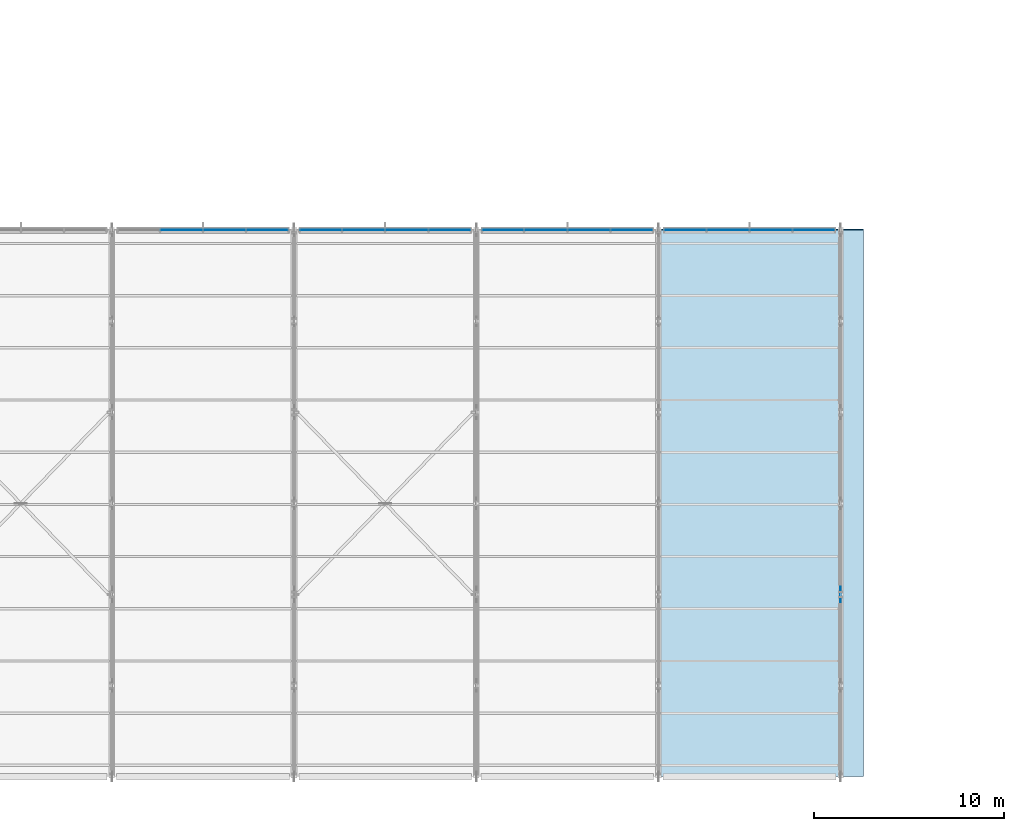
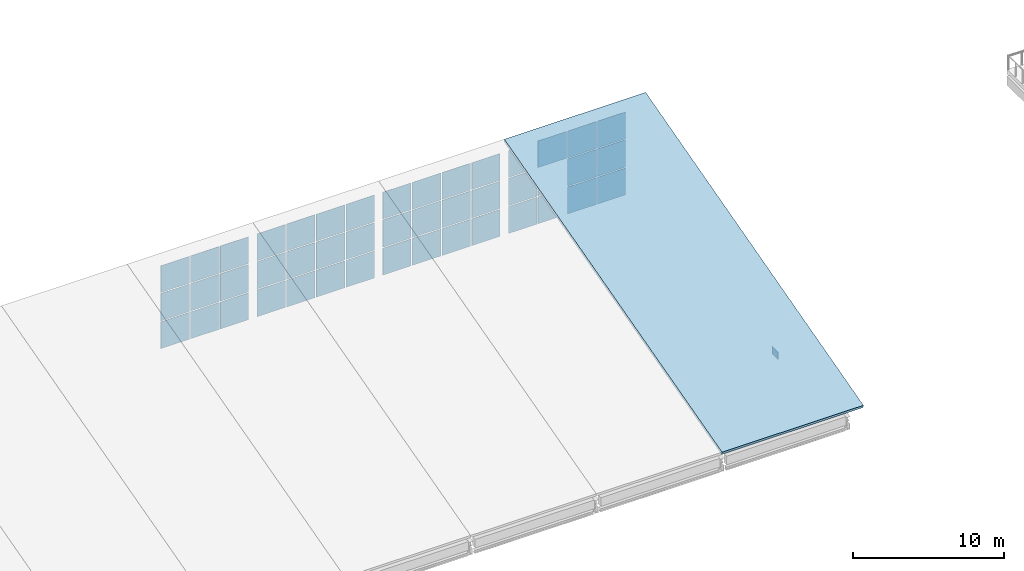
# One storey, part 28 of 57: 46 plates, 1 slab, 4 elements without a shape of their own.
"""IFC4 building model written with IfcOpenShell, lengths in metres."""

from ifc_helpers import new_model, si_unit, direction, frame, origin, origin_2d, place, context, subcontext, project, spatial, polyline, rectangle, outline, extrude, material, layer, layer_set, type_object, element, aggregate, save


model = new_model("IFC4")

# Units and contexts
model_context = context("Model", 3, precision=1e-05, world=origin(), true_north=direction((0.0, 1.0)))
body_context = subcontext(model_context, "Body", "Model", "MODEL_VIEW")
ifc_project = project(units=[si_unit("LENGTHUNIT", "METRE"), si_unit("AREAUNIT", "SQUARE_METRE"), si_unit("VOLUMEUNIT", "CUBIC_METRE"), si_unit("PLANEANGLEUNIT", "RADIAN"), si_unit("MASSUNIT", "GRAM", prefix="KILO")], contexts=[model_context])

# Site, building, storey
site_placement = place(None, origin())
site = spatial("IfcSite", under=ifc_project, at=site_placement, CompositionType="ELEMENT")
building_placement = place(site_placement, origin())
building = spatial("IfcBuilding", under=site, at=building_placement, Name="Shalvenor Court Art Gallery", CompositionType="ELEMENT")
storey_placement = place(building_placement, frame((0.0, 0.0, 16.800048828125)))
storey = spatial("IfcBuildingStorey", under=building, at=storey_placement, Name="L03", CompositionType="ELEMENT", Elevation=16.800048828125)

# Curtain wall, plates
ifc_material_1 = material(Name="Anodised aluminium and low-iron glass curtain wall", Category="aluminium")
curtain_wall_type = type_object("IfcCurtainWallType", Name="CW-NL-V4", PredefinedType="USERDEFINED", material=ifc_material_1)
curtain_wall_1_placement = place(storey_placement, origin())
curtain_wall_1 = element("IfcCurtainWall", 1, at=curtain_wall_1_placement, inside=storey, type_object=curtain_wall_type, Name="L03 V4 North Light Clerestory 4", ObjectType="CURTAIN WALL", PredefinedType="USERDEFINED")
ifc_material_2 = material(Name="Diffused north-light acid-etched museum glazing IGU", Category="glass")
ifc_layer_1 = layer(ifc_material_2, 0.02392578125, Name="Diffused north-light acid-etched museum glazing IGU")
ifc_layer_set_1 = layer_set([ifc_layer_1], Name="Diffused north-light acid-etched museum glazing IGU")
plate_type_1 = type_object("IfcPlateType", Name="CWP-04", PredefinedType="CURTAIN_PANEL", material=ifc_layer_set_1)
plate_1_placement = place(storey_placement, frame((32.46240234375, 28.800048828125, 0.074951171875), z_axis=(0.0, 0.0, 1.0), x_axis=(1.0, 0.0, 0.0)))
plate_1 = element("IfcPlate", 2, at=plate_1_placement, type_object=plate_type_1, Name="CW-NL-V4 panel 2.1", PredefinedType="CURTAIN_PANEL", context=body_context, shape_type="SweptSolid", body=[
    extrude(rectangle(XDim=2.195068359375, YDim=0.02392578125, at=origin_2d()), origin(), (0.0, 0.0, 1.0), 2.1708984375),
])
plate_2_placement = place(storey_placement, frame((32.46240234375, 28.800048828125, 2.32080078125), z_axis=(0.0, 0.0, 1.0), x_axis=(1.0, 0.0, 0.0)))
plate_2 = element("IfcPlate", 3, at=plate_2_placement, type_object=plate_type_1, Name="CW-NL-V4 panel 2.2", PredefinedType="CURTAIN_PANEL", context=body_context, shape_type="SweptSolid", body=[
    extrude(rectangle(XDim=2.195068359375, YDim=0.02392578125, at=origin_2d()), origin(), (0.0, 0.0, 1.0), 2.208251953125),
])
plate_3_placement = place(storey_placement, frame((32.46240234375, 28.800048828125, 4.60400390625), z_axis=(0.0, 0.0, 1.0), x_axis=(1.0, 0.0, 0.0)))
plate_3 = element("IfcPlate", 4, at=plate_3_placement, type_object=plate_type_1, Name="CW-NL-V4 panel 2.3", PredefinedType="CURTAIN_PANEL", context=body_context, shape_type="SweptSolid", body=[
    extrude(rectangle(XDim=2.195068359375, YDim=0.02392578125, at=origin_2d()), origin(), (0.0, 0.0, 1.0), 2.1708984375),
])
plate_4_placement = place(storey_placement, frame((34.737548828125, 28.800048828125, 0.074951171875), z_axis=(0.0, 0.0, 1.0), x_axis=(1.0, 0.0, 0.0)))
plate_4 = element("IfcPlate", 5, at=plate_4_placement, type_object=plate_type_1, Name="CW-NL-V4 panel 3.1", PredefinedType="CURTAIN_PANEL", context=body_context, shape_type="SweptSolid", body=[
    extrude(rectangle(XDim=2.195068359375, YDim=0.02392578125, at=origin_2d()), origin(), (0.0, 0.0, 1.0), 2.1708984375),
])
plate_5_placement = place(storey_placement, frame((34.737548828125, 28.800048828125, 2.32080078125), z_axis=(0.0, 0.0, 1.0), x_axis=(1.0, 0.0, 0.0)))
plate_5 = element("IfcPlate", 6, at=plate_5_placement, type_object=plate_type_1, Name="CW-NL-V4 panel 3.2", PredefinedType="CURTAIN_PANEL", context=body_context, shape_type="SweptSolid", body=[
    extrude(rectangle(XDim=2.195068359375, YDim=0.02392578125, at=origin_2d()), origin(), (0.0, 0.0, 1.0), 2.208251953125),
])
plate_6_placement = place(storey_placement, frame((34.737548828125, 28.800048828125, 4.60400390625), z_axis=(0.0, 0.0, 1.0), x_axis=(1.0, 0.0, 0.0)))
plate_6 = element("IfcPlate", 7, at=plate_6_placement, type_object=plate_type_1, Name="CW-NL-V4 panel 3.3", PredefinedType="CURTAIN_PANEL", context=body_context, shape_type="SweptSolid", body=[
    extrude(rectangle(XDim=2.195068359375, YDim=0.02392578125, at=origin_2d()), origin(), (0.0, 0.0, 1.0), 2.1708984375),
])
plate_7_placement = place(storey_placement, frame((36.992431640625, 28.800048828125, 0.074951171875), z_axis=(0.0, 0.0, 1.0), x_axis=(1.0, 0.0, 0.0)))
plate_7 = element("IfcPlate", 8, at=plate_7_placement, type_object=plate_type_1, Name="CW-NL-V4 panel 4.1", PredefinedType="CURTAIN_PANEL", context=body_context, shape_type="SweptSolid", body=[
    extrude(rectangle(XDim=2.155029296875, YDim=0.02392578125, at=origin_2d()), origin(), (0.0, 0.0, 1.0), 2.1708984375),
])
plate_8_placement = place(storey_placement, frame((36.992431640625, 28.800048828125, 2.32080078125), z_axis=(0.0, 0.0, 1.0), x_axis=(1.0, 0.0, 0.0)))
plate_8 = element("IfcPlate", 9, at=plate_8_placement, type_object=plate_type_1, Name="CW-NL-V4 panel 4.2", PredefinedType="CURTAIN_PANEL", context=body_context, shape_type="SweptSolid", body=[
    extrude(rectangle(XDim=2.155029296875, YDim=0.02392578125, at=origin_2d()), origin(), (0.0, 0.0, 1.0), 2.208251953125),
])
plate_9_placement = place(storey_placement, frame((36.992431640625, 28.800048828125, 4.60400390625), z_axis=(0.0, 0.0, 1.0), x_axis=(1.0, 0.0, 0.0)))
plate_9 = element("IfcPlate", 10, at=plate_9_placement, type_object=plate_type_1, Name="CW-NL-V4 panel 4.3", PredefinedType="CURTAIN_PANEL", context=body_context, shape_type="SweptSolid", body=[
    extrude(rectangle(XDim=2.155029296875, YDim=0.02392578125, at=origin_2d()), origin(), (0.0, 0.0, 1.0), 2.1708984375),
])
aggregate(curtain_wall_1, [plate_1, plate_2, plate_3, plate_4, plate_5, plate_6, plate_7, plate_8, plate_9])

curtain_wall_2_placement = place(storey_placement, origin())
curtain_wall_2 = element("IfcCurtainWall", 11, at=curtain_wall_2_placement, inside=storey, type_object=curtain_wall_type, Name="L03 V4 North Light Clerestory 5", ObjectType="CURTAIN WALL", PredefinedType="USERDEFINED")
plate_10_placement = place(storey_placement, frame((39.8076171875, 28.800048828125, 0.074951171875), z_axis=(0.0, 0.0, 1.0), x_axis=(1.0, 0.0, 0.0)))
plate_10 = element("IfcPlate", 12, at=plate_10_placement, type_object=plate_type_1, Name="CW-NL-V4 panel 1.1", PredefinedType="CURTAIN_PANEL", context=body_context, shape_type="SweptSolid", body=[
    extrude(rectangle(XDim=2.155029296875, YDim=0.02392578125, at=origin_2d()), origin(), (0.0, 0.0, 1.0), 2.1708984375),
])
plate_11_placement = place(storey_placement, frame((39.8076171875, 28.800048828125, 2.32080078125), z_axis=(0.0, 0.0, 1.0), x_axis=(1.0, 0.0, 0.0)))
plate_11 = element("IfcPlate", 13, at=plate_11_placement, type_object=plate_type_1, Name="CW-NL-V4 panel 1.2", PredefinedType="CURTAIN_PANEL", context=body_context, shape_type="SweptSolid", body=[
    extrude(rectangle(XDim=2.155029296875, YDim=0.02392578125, at=origin_2d()), origin(), (0.0, 0.0, 1.0), 2.208251953125),
])
plate_12_placement = place(storey_placement, frame((39.8076171875, 28.800048828125, 4.60400390625), z_axis=(0.0, 0.0, 1.0), x_axis=(1.0, 0.0, 0.0)))
plate_12 = element("IfcPlate", 14, at=plate_12_placement, type_object=plate_type_1, Name="CW-NL-V4 panel 1.3", PredefinedType="CURTAIN_PANEL", context=body_context, shape_type="SweptSolid", body=[
    extrude(rectangle(XDim=2.155029296875, YDim=0.02392578125, at=origin_2d()), origin(), (0.0, 0.0, 1.0), 2.1708984375),
])
plate_13_placement = place(storey_placement, frame((42.0625, 28.800048828125, 0.074951171875), z_axis=(0.0, 0.0, 1.0), x_axis=(1.0, 0.0, 0.0)))
plate_13 = element("IfcPlate", 15, at=plate_13_placement, type_object=plate_type_1, Name="CW-NL-V4 panel 2.1", PredefinedType="CURTAIN_PANEL", context=body_context, shape_type="SweptSolid", body=[
    extrude(rectangle(XDim=2.195068359375, YDim=0.02392578125, at=origin_2d()), origin(), (0.0, 0.0, 1.0), 2.1708984375),
])
plate_14_placement = place(storey_placement, frame((42.0625, 28.800048828125, 2.32080078125), z_axis=(0.0, 0.0, 1.0), x_axis=(1.0, 0.0, 0.0)))
plate_14 = element("IfcPlate", 16, at=plate_14_placement, type_object=plate_type_1, Name="CW-NL-V4 panel 2.2", PredefinedType="CURTAIN_PANEL", context=body_context, shape_type="SweptSolid", body=[
    extrude(rectangle(XDim=2.195068359375, YDim=0.02392578125, at=origin_2d()), origin(), (0.0, 0.0, 1.0), 2.208251953125),
])
plate_15_placement = place(storey_placement, frame((42.0625, 28.800048828125, 4.60400390625), z_axis=(0.0, 0.0, 1.0), x_axis=(1.0, 0.0, 0.0)))
plate_15 = element("IfcPlate", 17, at=plate_15_placement, type_object=plate_type_1, Name="CW-NL-V4 panel 2.3", PredefinedType="CURTAIN_PANEL", context=body_context, shape_type="SweptSolid", body=[
    extrude(rectangle(XDim=2.195068359375, YDim=0.02392578125, at=origin_2d()), origin(), (0.0, 0.0, 1.0), 2.1708984375),
])
plate_16_placement = place(storey_placement, frame((44.33740234375, 28.800048828125, 0.074951171875), z_axis=(0.0, 0.0, 1.0), x_axis=(1.0, 0.0, 0.0)))
plate_16 = element("IfcPlate", 18, at=plate_16_placement, type_object=plate_type_1, Name="CW-NL-V4 panel 3.1", PredefinedType="CURTAIN_PANEL", context=body_context, shape_type="SweptSolid", body=[
    extrude(rectangle(XDim=2.195068359375, YDim=0.02392578125, at=origin_2d()), origin(), (0.0, 0.0, 1.0), 2.1708984375),
])
plate_17_placement = place(storey_placement, frame((44.33740234375, 28.800048828125, 2.32080078125), z_axis=(0.0, 0.0, 1.0), x_axis=(1.0, 0.0, 0.0)))
plate_17 = element("IfcPlate", 19, at=plate_17_placement, type_object=plate_type_1, Name="CW-NL-V4 panel 3.2", PredefinedType="CURTAIN_PANEL", context=body_context, shape_type="SweptSolid", body=[
    extrude(rectangle(XDim=2.195068359375, YDim=0.02392578125, at=origin_2d()), origin(), (0.0, 0.0, 1.0), 2.208251953125),
])
plate_18_placement = place(storey_placement, frame((44.33740234375, 28.800048828125, 4.60400390625), z_axis=(0.0, 0.0, 1.0), x_axis=(1.0, 0.0, 0.0)))
plate_18 = element("IfcPlate", 20, at=plate_18_placement, type_object=plate_type_1, Name="CW-NL-V4 panel 3.3", PredefinedType="CURTAIN_PANEL", context=body_context, shape_type="SweptSolid", body=[
    extrude(rectangle(XDim=2.195068359375, YDim=0.02392578125, at=origin_2d()), origin(), (0.0, 0.0, 1.0), 2.1708984375),
])
plate_19_placement = place(storey_placement, frame((46.592529296875, 28.800048828125, 0.074951171875), z_axis=(0.0, 0.0, 1.0), x_axis=(1.0, 0.0, 0.0)))
plate_19 = element("IfcPlate", 21, at=plate_19_placement, type_object=plate_type_1, Name="CW-NL-V4 panel 4.1", PredefinedType="CURTAIN_PANEL", context=body_context, shape_type="SweptSolid", body=[
    extrude(rectangle(XDim=2.155029296875, YDim=0.02392578125, at=origin_2d()), origin(), (0.0, 0.0, 1.0), 2.1708984375),
])
plate_20_placement = place(storey_placement, frame((46.592529296875, 28.800048828125, 2.32080078125), z_axis=(0.0, 0.0, 1.0), x_axis=(1.0, 0.0, 0.0)))
plate_20 = element("IfcPlate", 22, at=plate_20_placement, type_object=plate_type_1, Name="CW-NL-V4 panel 4.2", PredefinedType="CURTAIN_PANEL", context=body_context, shape_type="SweptSolid", body=[
    extrude(rectangle(XDim=2.155029296875, YDim=0.02392578125, at=origin_2d()), origin(), (0.0, 0.0, 1.0), 2.208251953125),
])
plate_21_placement = place(storey_placement, frame((46.592529296875, 28.800048828125, 4.60400390625), z_axis=(0.0, 0.0, 1.0), x_axis=(1.0, 0.0, 0.0)))
plate_21 = element("IfcPlate", 23, at=plate_21_placement, type_object=plate_type_1, Name="CW-NL-V4 panel 4.3", PredefinedType="CURTAIN_PANEL", context=body_context, shape_type="SweptSolid", body=[
    extrude(rectangle(XDim=2.155029296875, YDim=0.02392578125, at=origin_2d()), origin(), (0.0, 0.0, 1.0), 2.1708984375),
])
aggregate(curtain_wall_2, [plate_10, plate_11, plate_12, plate_13, plate_14, plate_15, plate_16, plate_17, plate_18, plate_19, plate_20, plate_21])

curtain_wall_3_placement = place(storey_placement, origin())
curtain_wall_3 = element("IfcCurtainWall", 24, at=curtain_wall_3_placement, inside=storey, type_object=curtain_wall_type, Name="L03 V4 North Light Clerestory 6", ObjectType="CURTAIN WALL", PredefinedType="USERDEFINED")
plate_22_placement = place(storey_placement, frame((49.407470703125, 28.800048828125, 0.074951171875), z_axis=(0.0, 0.0, 1.0), x_axis=(1.0, 0.0, 0.0)))
plate_22 = element("IfcPlate", 25, at=plate_22_placement, type_object=plate_type_1, Name="CW-NL-V4 panel 1.1", PredefinedType="CURTAIN_PANEL", context=body_context, shape_type="SweptSolid", body=[
    extrude(rectangle(XDim=2.155029296875, YDim=0.02392578125, at=origin_2d()), origin(), (0.0, 0.0, 1.0), 2.1708984375),
])
plate_23_placement = place(storey_placement, frame((49.407470703125, 28.800048828125, 2.32080078125), z_axis=(0.0, 0.0, 1.0), x_axis=(1.0, 0.0, 0.0)))
plate_23 = element("IfcPlate", 26, at=plate_23_placement, type_object=plate_type_1, Name="CW-NL-V4 panel 1.2", PredefinedType="CURTAIN_PANEL", context=body_context, shape_type="SweptSolid", body=[
    extrude(rectangle(XDim=2.155029296875, YDim=0.02392578125, at=origin_2d()), origin(), (0.0, 0.0, 1.0), 2.208251953125),
])
plate_24_placement = place(storey_placement, frame((49.407470703125, 28.800048828125, 4.60400390625), z_axis=(0.0, 0.0, 1.0), x_axis=(1.0, 0.0, 0.0)))
plate_24 = element("IfcPlate", 27, at=plate_24_placement, type_object=plate_type_1, Name="CW-NL-V4 panel 1.3", PredefinedType="CURTAIN_PANEL", context=body_context, shape_type="SweptSolid", body=[
    extrude(rectangle(XDim=2.155029296875, YDim=0.02392578125, at=origin_2d()), origin(), (0.0, 0.0, 1.0), 2.1708984375),
])
plate_25_placement = place(storey_placement, frame((51.66259765625, 28.800048828125, 0.074951171875), z_axis=(0.0, 0.0, 1.0), x_axis=(1.0, 0.0, 0.0)))
plate_25 = element("IfcPlate", 28, at=plate_25_placement, type_object=plate_type_1, Name="CW-NL-V4 panel 2.1", PredefinedType="CURTAIN_PANEL", context=body_context, shape_type="SweptSolid", body=[
    extrude(rectangle(XDim=2.195068359375, YDim=0.02392578125, at=origin_2d()), origin(), (0.0, 0.0, 1.0), 2.1708984375),
])
plate_26_placement = place(storey_placement, frame((51.66259765625, 28.800048828125, 2.32080078125), z_axis=(0.0, 0.0, 1.0), x_axis=(1.0, 0.0, 0.0)))
plate_26 = element("IfcPlate", 29, at=plate_26_placement, type_object=plate_type_1, Name="CW-NL-V4 panel 2.2", PredefinedType="CURTAIN_PANEL", context=body_context, shape_type="SweptSolid", body=[
    extrude(rectangle(XDim=2.195068359375, YDim=0.02392578125, at=origin_2d()), origin(), (0.0, 0.0, 1.0), 2.208251953125),
])
plate_27_placement = place(storey_placement, frame((51.66259765625, 28.800048828125, 4.60400390625), z_axis=(0.0, 0.0, 1.0), x_axis=(1.0, 0.0, 0.0)))
plate_27 = element("IfcPlate", 30, at=plate_27_placement, type_object=plate_type_1, Name="CW-NL-V4 panel 2.3", PredefinedType="CURTAIN_PANEL", context=body_context, shape_type="SweptSolid", body=[
    extrude(rectangle(XDim=2.195068359375, YDim=0.02392578125, at=origin_2d()), origin(), (0.0, 0.0, 1.0), 2.1708984375),
])
plate_28_placement = place(storey_placement, frame((53.9375, 28.800048828125, 0.074951171875), z_axis=(0.0, 0.0, 1.0), x_axis=(1.0, 0.0, 0.0)))
plate_28 = element("IfcPlate", 31, at=plate_28_placement, type_object=plate_type_1, Name="CW-NL-V4 panel 3.1", PredefinedType="CURTAIN_PANEL", context=body_context, shape_type="SweptSolid", body=[
    extrude(rectangle(XDim=2.195068359375, YDim=0.02392578125, at=origin_2d()), origin(), (0.0, 0.0, 1.0), 2.1708984375),
])
plate_29_placement = place(storey_placement, frame((53.9375, 28.800048828125, 2.32080078125), z_axis=(0.0, 0.0, 1.0), x_axis=(1.0, 0.0, 0.0)))
plate_29 = element("IfcPlate", 32, at=plate_29_placement, type_object=plate_type_1, Name="CW-NL-V4 panel 3.2", PredefinedType="CURTAIN_PANEL", context=body_context, shape_type="SweptSolid", body=[
    extrude(rectangle(XDim=2.195068359375, YDim=0.02392578125, at=origin_2d()), origin(), (0.0, 0.0, 1.0), 2.208251953125),
])
plate_30_placement = place(storey_placement, frame((53.9375, 28.800048828125, 4.60400390625), z_axis=(0.0, 0.0, 1.0), x_axis=(1.0, 0.0, 0.0)))
plate_30 = element("IfcPlate", 33, at=plate_30_placement, type_object=plate_type_1, Name="CW-NL-V4 panel 3.3", PredefinedType="CURTAIN_PANEL", context=body_context, shape_type="SweptSolid", body=[
    extrude(rectangle(XDim=2.195068359375, YDim=0.02392578125, at=origin_2d()), origin(), (0.0, 0.0, 1.0), 2.1708984375),
])
plate_31_placement = place(storey_placement, frame((56.1923828125, 28.800048828125, 0.074951171875), z_axis=(0.0, 0.0, 1.0), x_axis=(1.0, 0.0, 0.0)))
plate_31 = element("IfcPlate", 34, at=plate_31_placement, type_object=plate_type_1, Name="CW-NL-V4 panel 4.1", PredefinedType="CURTAIN_PANEL", context=body_context, shape_type="SweptSolid", body=[
    extrude(rectangle(XDim=2.155029296875, YDim=0.02392578125, at=origin_2d()), origin(), (0.0, 0.0, 1.0), 2.1708984375),
])
plate_32_placement = place(storey_placement, frame((56.1923828125, 28.800048828125, 2.32080078125), z_axis=(0.0, 0.0, 1.0), x_axis=(1.0, 0.0, 0.0)))
plate_32 = element("IfcPlate", 35, at=plate_32_placement, type_object=plate_type_1, Name="CW-NL-V4 panel 4.2", PredefinedType="CURTAIN_PANEL", context=body_context, shape_type="SweptSolid", body=[
    extrude(rectangle(XDim=2.155029296875, YDim=0.02392578125, at=origin_2d()), origin(), (0.0, 0.0, 1.0), 2.208251953125),
])
plate_33_placement = place(storey_placement, frame((56.1923828125, 28.800048828125, 4.60400390625), z_axis=(0.0, 0.0, 1.0), x_axis=(1.0, 0.0, 0.0)))
plate_33 = element("IfcPlate", 36, at=plate_33_placement, type_object=plate_type_1, Name="CW-NL-V4 panel 4.3", PredefinedType="CURTAIN_PANEL", context=body_context, shape_type="SweptSolid", body=[
    extrude(rectangle(XDim=2.155029296875, YDim=0.02392578125, at=origin_2d()), origin(), (0.0, 0.0, 1.0), 2.1708984375),
])
aggregate(curtain_wall_3, [plate_22, plate_23, plate_24, plate_25, plate_26, plate_27, plate_28, plate_29, plate_30, plate_31, plate_32, plate_33])

curtain_wall_4_placement = place(storey_placement, origin())
curtain_wall_4 = element("IfcCurtainWall", 37, at=curtain_wall_4_placement, inside=storey, type_object=curtain_wall_type, Name="L03 V4 North Light Clerestory 7", ObjectType="CURTAIN WALL", PredefinedType="USERDEFINED")
plate_34_placement = place(storey_placement, frame((59.007568359375, 28.800048828125, 0.074951171875), z_axis=(0.0, 0.0, 1.0), x_axis=(1.0, 0.0, 0.0)))
plate_34 = element("IfcPlate", 38, at=plate_34_placement, type_object=plate_type_1, Name="CW-NL-V4 panel 1.1", PredefinedType="CURTAIN_PANEL", context=body_context, shape_type="SweptSolid", body=[
    extrude(rectangle(XDim=2.155029296875, YDim=0.02392578125, at=origin_2d()), origin(), (0.0, 0.0, 1.0), 2.1708984375),
])
plate_35_placement = place(storey_placement, frame((59.007568359375, 28.800048828125, 2.32080078125), z_axis=(0.0, 0.0, 1.0), x_axis=(1.0, 0.0, 0.0)))
plate_35 = element("IfcPlate", 39, at=plate_35_placement, type_object=plate_type_1, Name="CW-NL-V4 panel 1.2", PredefinedType="CURTAIN_PANEL", context=body_context, shape_type="SweptSolid", body=[
    extrude(rectangle(XDim=2.155029296875, YDim=0.02392578125, at=origin_2d()), origin(), (0.0, 0.0, 1.0), 2.208251953125),
])
plate_36_placement = place(storey_placement, frame((59.007568359375, 28.800048828125, 4.60400390625), z_axis=(0.0, 0.0, 1.0), x_axis=(1.0, 0.0, 0.0)))
plate_36 = element("IfcPlate", 40, at=plate_36_placement, type_object=plate_type_1, Name="CW-NL-V4 panel 1.3", PredefinedType="CURTAIN_PANEL", context=body_context, shape_type="SweptSolid", body=[
    extrude(rectangle(XDim=2.155029296875, YDim=0.02392578125, at=origin_2d()), origin(), (0.0, 0.0, 1.0), 2.1708984375),
])
plate_37_placement = place(storey_placement, frame((61.262451171875, 28.800048828125, 0.074951171875), z_axis=(0.0, 0.0, 1.0), x_axis=(1.0, 0.0, 0.0)))
plate_37 = element("IfcPlate", 41, at=plate_37_placement, type_object=plate_type_1, Name="CW-NL-V4 panel 2.1", PredefinedType="CURTAIN_PANEL", context=body_context, shape_type="SweptSolid", body=[
    extrude(rectangle(XDim=2.195068359375, YDim=0.02392578125, at=origin_2d()), origin(), (0.0, 0.0, 1.0), 2.1708984375),
])
plate_38_placement = place(storey_placement, frame((61.262451171875, 28.800048828125, 2.32080078125), z_axis=(0.0, 0.0, 1.0), x_axis=(1.0, 0.0, 0.0)))
plate_38 = element("IfcPlate", 42, at=plate_38_placement, type_object=plate_type_1, Name="CW-NL-V4 panel 2.2", PredefinedType="CURTAIN_PANEL", context=body_context, shape_type="SweptSolid", body=[
    extrude(rectangle(XDim=2.195068359375, YDim=0.02392578125, at=origin_2d()), origin(), (0.0, 0.0, 1.0), 2.208251953125),
])
plate_39_placement = place(storey_placement, frame((61.262451171875, 28.800048828125, 4.60400390625), z_axis=(0.0, 0.0, 1.0), x_axis=(1.0, 0.0, 0.0)))
plate_39 = element("IfcPlate", 43, at=plate_39_placement, type_object=plate_type_1, Name="CW-NL-V4 panel 2.3", PredefinedType="CURTAIN_PANEL", context=body_context, shape_type="SweptSolid", body=[
    extrude(rectangle(XDim=2.195068359375, YDim=0.02392578125, at=origin_2d()), origin(), (0.0, 0.0, 1.0), 2.1708984375),
])
plate_40_placement = place(storey_placement, frame((63.53759765625, 28.800048828125, 0.074951171875), z_axis=(0.0, 0.0, 1.0), x_axis=(1.0, 0.0, 0.0)))
plate_40 = element("IfcPlate", 44, at=plate_40_placement, type_object=plate_type_1, Name="CW-NL-V4 panel 3.1", PredefinedType="CURTAIN_PANEL", context=body_context, shape_type="SweptSolid", body=[
    extrude(rectangle(XDim=2.195068359375, YDim=0.02392578125, at=origin_2d()), origin(), (0.0, 0.0, 1.0), 2.1708984375),
])
plate_41_placement = place(storey_placement, frame((63.53759765625, 28.800048828125, 2.32080078125), z_axis=(0.0, 0.0, 1.0), x_axis=(1.0, 0.0, 0.0)))
plate_41 = element("IfcPlate", 45, at=plate_41_placement, type_object=plate_type_1, Name="CW-NL-V4 panel 3.2", PredefinedType="CURTAIN_PANEL", context=body_context, shape_type="SweptSolid", body=[
    extrude(rectangle(XDim=2.195068359375, YDim=0.02392578125, at=origin_2d()), origin(), (0.0, 0.0, 1.0), 2.208251953125),
])
plate_42_placement = place(storey_placement, frame((63.53759765625, 28.800048828125, 4.60400390625), z_axis=(0.0, 0.0, 1.0), x_axis=(1.0, 0.0, 0.0)))
plate_42 = element("IfcPlate", 46, at=plate_42_placement, type_object=plate_type_1, Name="CW-NL-V4 panel 3.3", PredefinedType="CURTAIN_PANEL", context=body_context, shape_type="SweptSolid", body=[
    extrude(rectangle(XDim=2.195068359375, YDim=0.02392578125, at=origin_2d()), origin(), (0.0, 0.0, 1.0), 2.1708984375),
])
plate_43_placement = place(storey_placement, frame((65.79248046875, 28.800048828125, 0.074951171875), z_axis=(0.0, 0.0, 1.0), x_axis=(1.0, 0.0, 0.0)))
plate_43 = element("IfcPlate", 47, at=plate_43_placement, type_object=plate_type_1, Name="CW-NL-V4 panel 4.1", PredefinedType="CURTAIN_PANEL", context=body_context, shape_type="SweptSolid", body=[
    extrude(rectangle(XDim=2.155029296875, YDim=0.02392578125, at=origin_2d()), origin(), (0.0, 0.0, 1.0), 2.1708984375),
])
plate_44_placement = place(storey_placement, frame((65.79248046875, 28.800048828125, 2.32080078125), z_axis=(0.0, 0.0, 1.0), x_axis=(1.0, 0.0, 0.0)))
plate_44 = element("IfcPlate", 48, at=plate_44_placement, type_object=plate_type_1, Name="CW-NL-V4 panel 4.2", PredefinedType="CURTAIN_PANEL", context=body_context, shape_type="SweptSolid", body=[
    extrude(rectangle(XDim=2.155029296875, YDim=0.02392578125, at=origin_2d()), origin(), (0.0, 0.0, 1.0), 2.208251953125),
])
plate_45_placement = place(storey_placement, frame((65.79248046875, 28.800048828125, 4.60400390625), z_axis=(0.0, 0.0, 1.0), x_axis=(1.0, 0.0, 0.0)))
plate_45 = element("IfcPlate", 49, at=plate_45_placement, type_object=plate_type_1, Name="CW-NL-V4 panel 4.3", PredefinedType="CURTAIN_PANEL", context=body_context, shape_type="SweptSolid", body=[
    extrude(rectangle(XDim=2.155029296875, YDim=0.02392578125, at=origin_2d()), origin(), (0.0, 0.0, 1.0), 2.1708984375),
])
aggregate(curtain_wall_4, [plate_34, plate_35, plate_36, plate_37, plate_38, plate_39, plate_40, plate_41, plate_42, plate_43, plate_44, plate_45])

# Plate
ifc_material_3 = material(Name="Steel S355", Category="steel")
ifc_layer_2 = layer(ifc_material_3, 0.02587890625, Name="Steel S355")
ifc_layer_set_2 = layer_set([ifc_layer_2], Name="Steel S355")
plate_type_2 = type_object("IfcPlateType", Name="GP-03", PredefinedType="SHEET", material=ifc_layer_set_2)
plate_46_placement = place(storey_placement, frame((67.199951171875, 9.60009765625, -1.4501953125), z_axis=(0.0, 0.0, 1.0), x_axis=(0.0, 1.0, 0.0)))
element("IfcPlate", 50, at=plate_46_placement, inside=storey, type_object=plate_type_2, Name="TN-05 Truss Gusset Plate PLT-GUS-0302", PredefinedType="SHEET", context=body_context, shape_type="SweptSolid", body=[
    extrude(rectangle(XDim=0.800048828125, YDim=0.02587890625, at=origin_2d()), origin(), (0.0, 0.0, 1.0), 0.60009765625),
])

# Slab
ifc_material_4 = material(Name="Concrete C40/50", Category="concrete")
ifc_layer_3 = layer(ifc_material_4, 0.22998046875, Name="Concrete C40/50")
ifc_layer_set_3 = layer_set([ifc_layer_3], Name="Concrete C40/50")
slab_type = type_object("IfcSlabType", Name="RF-230", PredefinedType="ROOF", material=ifc_layer_set_3)
slab_placement = place(storey_placement, frame((57.60009765625, 0.0, 0.0), z_axis=(0.0, -0.261416587437, 0.965226070832), x_axis=(1.0, 0.0, 0.0)))
element("IfcSlab", 51, at=slab_placement, inside=storey, type_object=slab_type, Name="L03 V4 Pitched Gallery Roof Slab Bay 7", PredefinedType="ROOF", context=body_context, shape_type="SweptSolid", body=[
    extrude(outline(polyline([(0.0, 0.0), (10.7998046875, 0.0), (10.7998046875, 29.83762011661651), (0.0, 29.83762011661651), (0.0, 0.0)])), origin(), (0.0, 0.0, -1.0), 0.22998046875),
])

save(model, "model.ifc")
